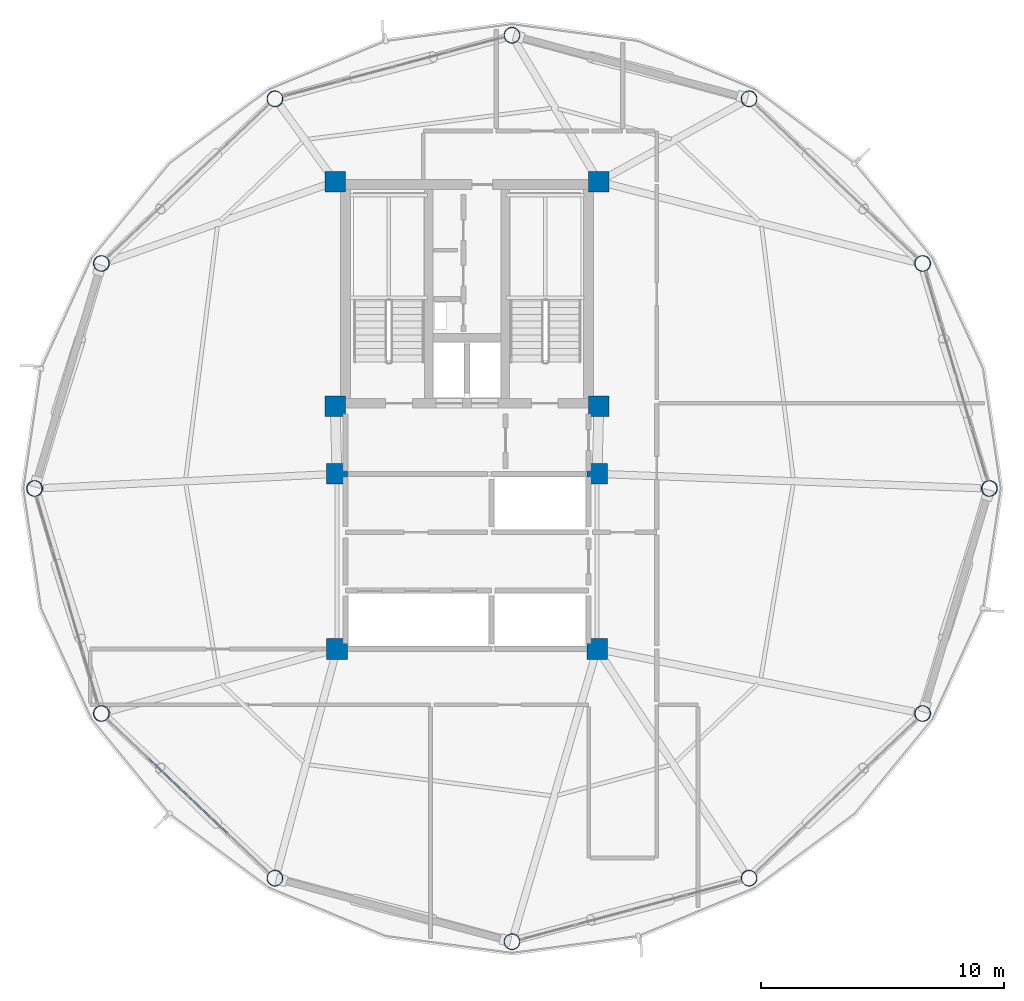
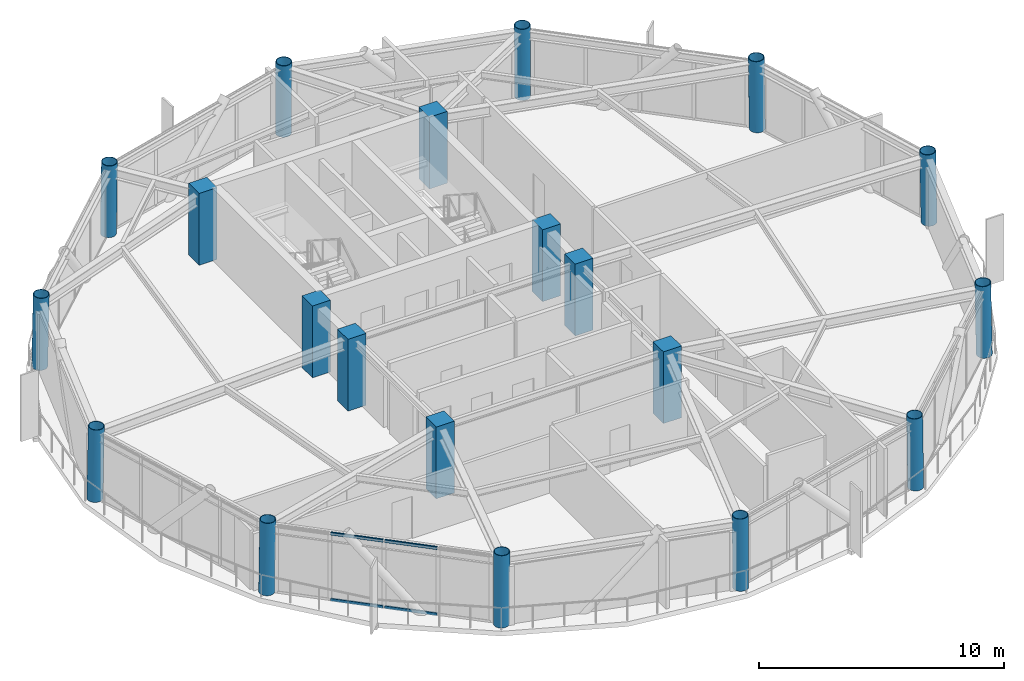
# One storey, part 1 of 28: 20 columns, 4 members, 1 element without a shape of its own.
"""IFC4 building model written with IfcOpenShell, lengths in metres."""

from ifc_helpers import new_model, si_unit, direction, frame, origin, origin_2d, place, context, subcontext, project, spatial, rectangle, hollow_rectangle, hollow_circle, extrude, material, layer, layer_set, material_profile, profile_set, type_object, element, aggregate, save


model = new_model("IFC4")

# Units and contexts
model_context = context("Model", 3, precision=1e-05, world=origin(), true_north=direction((0.0, 1.0)))
body_context = subcontext(model_context, "Body", "Model", "MODEL_VIEW")
ifc_project = project(units=[si_unit("LENGTHUNIT", "METRE"), si_unit("AREAUNIT", "SQUARE_METRE"), si_unit("VOLUMEUNIT", "CUBIC_METRE"), si_unit("PLANEANGLEUNIT", "RADIAN"), si_unit("MASSUNIT", "GRAM", prefix="KILO")], contexts=[model_context])

# Site, building, storey
site_placement = place(None, origin())
site = spatial("IfcSite", under=ifc_project, at=site_placement, CompositionType="ELEMENT")
building_placement = place(site_placement, origin())
building = spatial("IfcBuilding", under=site, at=building_placement, Name="Varnakorn Sky Granary", CompositionType="ELEMENT")
storey_placement = place(building_placement, frame((0.0, 0.0, 186.0)))
storey = spatial("IfcBuildingStorey", under=building, at=storey_placement, Name="L46", CompositionType="ELEMENT", Elevation=186.0)

# Columns
ifc_material_1 = material(Name="Steel S460M", Category="steel")
ifc_material_profile_1 = material_profile(ifc_material_1, hollow_circle(Radius=0.330078125, WallThickness=0.02490234375, at=origin_2d()), Name="CHS 660x25")
ifc_profile_set_1 = profile_set([ifc_material_profile_1], Name="Steel S460M")
column_type_1 = type_object("IfcColumnType", Name="COL-DC-Z4", PredefinedType="COLUMN", material=ifc_profile_set_1)
column_1_placement = place(storey_placement, frame((24.4970703125, 0.0, 0.0), z_axis=(-0.019050015053, 0.0, 0.999818531998), x_axis=(0.0, -1.0, 0.0)))
element("IfcColumn", 1, at=column_1_placement, inside=storey, type_object=column_type_1, Name="Drum Perimeter Column DC01 L46", PredefinedType="COLUMN", context=body_context, shape_type="SweptSolid", body=[
    extrude(hollow_circle(Radius=0.330078125, WallThickness=0.02490234375, at=origin_2d()), origin(), (0.0, 0.0, 1.0), 3.57568359375),
])
column_2_placement = place(storey_placement, frame((21.747802734375, 9.256591796875, 0.0), z_axis=(-0.016455969971, -0.004643178249, 0.999853810288), x_axis=(0.271555014366, -0.962422918562, 0.0)))
element("IfcColumn", 2, at=column_2_placement, inside=storey, type_object=column_type_1, Name="Drum Perimeter Column DC02 L46", PredefinedType="COLUMN", context=body_context, shape_type="SweptSolid", body=[
    extrude(hollow_circle(Radius=0.330078125, WallThickness=0.02490234375, at=origin_2d()), origin(), (0.0, 0.0, 1.0), 3.575439453125),
])
for number, where, z_axis, x_axis, name in (
    (3, (14.60595703125, 16.03271484375, 0.0), (-0.009491859699, -0.00798955097, 0.999923032875), (0.643966239347, -0.765053908284, 0.0), "Drum Perimeter Column DC03 L46"),
    (4, (4.85009765625, 18.64794921875, 0.0), (0.0, -0.009219030459, 0.999957503836), (1.0, 0.0, 0.0), "Drum Perimeter Column DC04 L46"),
    (5, (-4.906005859375, 16.03271484375, 0.0), (0.009491859699, -0.00798955097, 0.999923032875), (0.643966239347, 0.765053908284, 0.0), "Drum Perimeter Column DC05 L46"),
):
    element("IfcColumn", number, at=place(storey_placement, frame(where, z_axis=z_axis, x_axis=x_axis)), inside=storey, type_object=column_type_1, Name=name, PredefinedType="COLUMN", context=body_context, shape_type="SweptSolid", body=[
        extrude(hollow_circle(Radius=0.330078125, WallThickness=0.02490234375, at=origin_2d()), origin(), (0.0, 0.0, 1.0), 3.5751953125),
    ])
column_3_placement = place(storey_placement, frame((-12.0478515625, 9.256591796875, 0.0), z_axis=(0.016455969971, -0.004643178249, 0.999853810288), x_axis=(0.271555014366, 0.962422918562, 0.0)))
element("IfcColumn", 6, at=column_3_placement, inside=storey, type_object=column_type_1, Name="Drum Perimeter Column DC06 L46", PredefinedType="COLUMN", context=body_context, shape_type="SweptSolid", body=[
    extrude(hollow_circle(Radius=0.330078125, WallThickness=0.02490234375, at=origin_2d()), origin(), (0.0, 0.0, 1.0), 3.575439453125),
])
column_4_placement = place(storey_placement, frame((-14.797119140625, 0.0, 0.0), z_axis=(0.019050015053, 0.0, 0.999818531998), x_axis=(0.0, 1.0, 0.0)))
element("IfcColumn", 7, at=column_4_placement, inside=storey, type_object=column_type_1, Name="Drum Perimeter Column DC07 L46", PredefinedType="COLUMN", context=body_context, shape_type="SweptSolid", body=[
    extrude(hollow_circle(Radius=0.330078125, WallThickness=0.02490234375, at=origin_2d()), origin(), (0.0, 0.0, 1.0), 3.57568359375),
])
column_5_placement = place(storey_placement, frame((-12.0478515625, -9.256591796875, 0.0), z_axis=(0.016455969971, 0.004643178249, 0.999853810288), x_axis=(-0.271555014366, 0.962422918562, 0.0)))
element("IfcColumn", 8, at=column_5_placement, inside=storey, type_object=column_type_1, Name="Drum Perimeter Column DC08 L46", PredefinedType="COLUMN", context=body_context, shape_type="SweptSolid", body=[
    extrude(hollow_circle(Radius=0.330078125, WallThickness=0.02490234375, at=origin_2d()), origin(), (0.0, 0.0, 1.0), 3.575439453125),
])
for number, where, z_axis, x_axis, name in (
    (9, (-4.906005859375, -16.03271484375, 0.0), (0.009491859699, 0.00798955097, 0.999923032875), (-0.643966239347, 0.765053908284, 0.0), "Drum Perimeter Column DC09 L46"),
    (10, (4.85009765625, -18.64794921875, 0.0), (0.0, 0.009219030459, 0.999957503836), (-1.0, 0.0, 0.0), "Drum Perimeter Column DC10 L46"),
    (11, (14.60595703125, -16.03271484375, 0.0), (-0.009491859699, 0.00798955097, 0.999923032875), (-0.643966239347, -0.765053908284, 0.0), "Drum Perimeter Column DC11 L46"),
):
    element("IfcColumn", number, at=place(storey_placement, frame(where, z_axis=z_axis, x_axis=x_axis)), inside=storey, type_object=column_type_1, Name=name, PredefinedType="COLUMN", context=body_context, shape_type="SweptSolid", body=[
        extrude(hollow_circle(Radius=0.330078125, WallThickness=0.02490234375, at=origin_2d()), origin(), (0.0, 0.0, 1.0), 3.5751953125),
    ])
column_6_placement = place(storey_placement, frame((21.747802734375, -9.256591796875, 0.0), z_axis=(-0.016455969971, 0.004643178249, 0.999853810288), x_axis=(-0.271555014366, -0.962422918562, 0.0)))
element("IfcColumn", 12, at=column_6_placement, inside=storey, type_object=column_type_1, Name="Drum Perimeter Column DC12 L46", PredefinedType="COLUMN", context=body_context, shape_type="SweptSolid", body=[
    extrude(hollow_circle(Radius=0.330078125, WallThickness=0.02490234375, at=origin_2d()), origin(), (0.0, 0.0, 1.0), 3.575439453125),
])
ifc_material_2 = material(Name="Concrete C50/60", Category="concrete")
ifc_material_profile_2 = material_profile(ifc_material_2, rectangle(XDim=0.85009765625, YDim=0.85009765625, at=origin_2d()), Name="RC 850x850")
ifc_profile_set_2 = profile_set([ifc_material_profile_2], Name="Concrete C50/60")
column_type_2 = type_object("IfcColumnType", Name="COL-MC-Z4", PredefinedType="COLUMN", material=ifc_profile_set_2)
for number, where, z_axis, x_axis, name in (
    (13, (-2.419921875, 12.6201171875, 0.0), (0.0, 0.0, 1.0), (1.0, 0.0, 0.0), "Backbone Mega-Column MC1 L46"),
    (14, (8.419921875, 12.6201171875, 0.0), (0.0, 0.0, 1.0), (1.0, 0.0, 0.0), "Backbone Mega-Column MC2 L46"),
    (15, (-2.419921875, 3.3798828125, 0.0), (0.0, 0.0, 1.0), (1.0, 0.0, 0.0), "Backbone Mega-Column MC3 L46"),
    (16, (8.419921875, 3.3798828125, 0.0), (0.0, 0.0, 1.0), (1.0, 0.0, 0.0), "Backbone Mega-Column MC4 L46"),
    (17, (-2.35009765625, 0.60009765625, 0.0), (0.0, 0.0, 1.0), (1.0, 0.0, 0.0), "Backbone Mega-Column MC5 L46"),
    (18, (8.35009765625, 0.60009765625, 0.0), (0.0, 0.0, 1.0), (1.0, 0.0, 0.0), "Backbone Mega-Column MC6 L46"),
    (19, (-2.35009765625, -6.60009765625, 0.0), (0.0, 0.0, 1.0), (1.0, 0.0, 0.0), "Backbone Mega-Column MC7 L46"),
    (20, (8.35009765625, -6.60009765625, 0.0), (0.0, 0.0, 1.0), (1.0, 0.0, 0.0), "Backbone Mega-Column MC8 L46"),
):
    element("IfcColumn", number, at=place(storey_placement, frame(where, z_axis=z_axis, x_axis=x_axis)), inside=storey, type_object=column_type_2, Name=name, PredefinedType="COLUMN", context=body_context, shape_type="SweptSolid", body=[
        extrude(rectangle(XDim=0.85009765625, YDim=0.85009765625, at=origin_2d()), origin(), (0.0, 0.0, 1.0), 3.574951171875),
    ])

# Curtain wall, members
ifc_material_3 = material(Name="Anodised Bronze Aluminium Alloy 6063-T6", Category="aluminium")
ifc_layer = layer(ifc_material_3, 0.169921875, Name="Anodised Bronze Aluminium Alloy 6063-T6")
ifc_layer_set = layer_set([ifc_layer], Name="Anodised Bronze Aluminium Alloy 6063-T6")
curtain_wall_type = type_object("IfcCurtainWallType", Name="CW-LAB-1", PredefinedType="USERDEFINED", material=ifc_layer_set)
curtain_wall_placement = place(storey_placement, origin())
curtain_wall = element("IfcCurtainWall", 21, at=curtain_wall_placement, inside=storey, type_object=curtain_wall_type, Name="Unitised Curtain Wall CW5 CW-L46-B08", ObjectType="CURTAIN WALL", PredefinedType="USERDEFINED")
ifc_material_profile_3 = material_profile(ifc_material_3, hollow_rectangle(XDim=0.070068359375, YDim=0.139892578125, WallThickness=0.00341796875, at=origin_2d()), Name="ALU TRAN 70x140")
ifc_profile_set_3 = profile_set([ifc_material_profile_3], Name="Anodised Bronze Aluminium Alloy 6063-T6")
member_type = type_object("IfcMemberType", Name="CW-LAB-1-TRAN", PredefinedType="USERDEFINED", material=ifc_profile_set_3)
member_1_placement = place(storey_placement, frame((-6.8564453125, -14.18212890625, 0.034912109375), z_axis=(-0.725439559585, 0.688285874757, 0.0), x_axis=(-0.688285874757, -0.725439559585, 0.0)))
member_1 = element("IfcMember", 22, at=member_1_placement, type_object=member_type, Name="CW5 transom 2.1", ObjectType="TRANSOM", PredefinedType="USERDEFINED", context=body_context, shape_type="SweptSolid", body=[
    extrude(hollow_rectangle(XDim=0.070068359375, YDim=0.139892578125, WallThickness=0.00341796875, at=origin_2d()), origin(), (0.0, 0.0, 1.0), 2.201416015625),
])
member_2_placement = place(storey_placement, frame((-6.8564453125, -14.18212890625, 3.324951171875), z_axis=(-0.725439559585, 0.688285874757, 0.0), x_axis=(-0.688285874757, -0.725439559585, 0.0)))
member_2 = element("IfcMember", 23, at=member_2_placement, type_object=member_type, Name="CW5 transom 2.2", ObjectType="TRANSOM", PredefinedType="USERDEFINED", context=body_context, shape_type="SweptSolid", body=[
    extrude(hollow_rectangle(XDim=0.070068359375, YDim=0.139892578125, WallThickness=0.00341796875, at=origin_2d()), origin(), (0.0, 0.0, 1.0), 2.201416015625),
])
member_3_placement = place(storey_placement, frame((-8.50048828125, -12.622314453125, 0.034912109375), z_axis=(-0.725439559585, 0.688285874757, 0.0), x_axis=(-0.688285874757, -0.725439559585, 0.0)))
member_3 = element("IfcMember", 24, at=member_3_placement, type_object=member_type, Name="CW5 transom 3.1", ObjectType="TRANSOM", PredefinedType="USERDEFINED", context=body_context, shape_type="SweptSolid", body=[
    extrude(hollow_rectangle(XDim=0.070068359375, YDim=0.139892578125, WallThickness=0.00341796875, at=origin_2d()), origin(), (0.0, 0.0, 1.0), 2.201416015625),
])
member_4_placement = place(storey_placement, frame((-8.50048828125, -12.622314453125, 3.324951171875), z_axis=(-0.725439559585, 0.688285874757, 0.0), x_axis=(-0.688285874757, -0.725439559585, 0.0)))
member_4 = element("IfcMember", 25, at=member_4_placement, type_object=member_type, Name="CW5 transom 3.2", ObjectType="TRANSOM", PredefinedType="USERDEFINED", context=body_context, shape_type="SweptSolid", body=[
    extrude(hollow_rectangle(XDim=0.070068359375, YDim=0.139892578125, WallThickness=0.00341796875, at=origin_2d()), origin(), (0.0, 0.0, 1.0), 2.201416015625),
])
aggregate(curtain_wall, [member_1, member_2, member_3, member_4])

save(model, "model.ifc")
